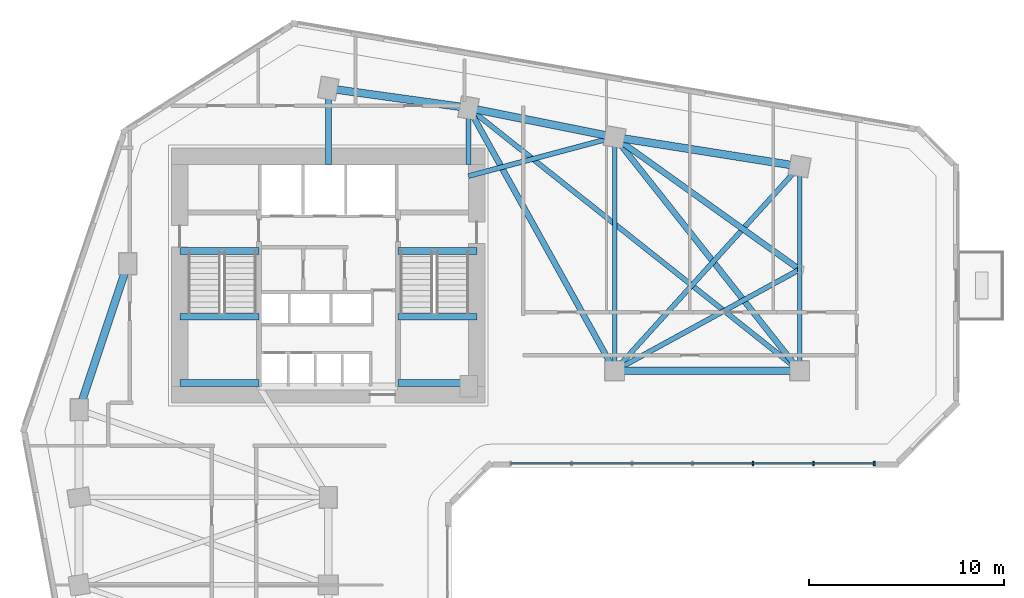
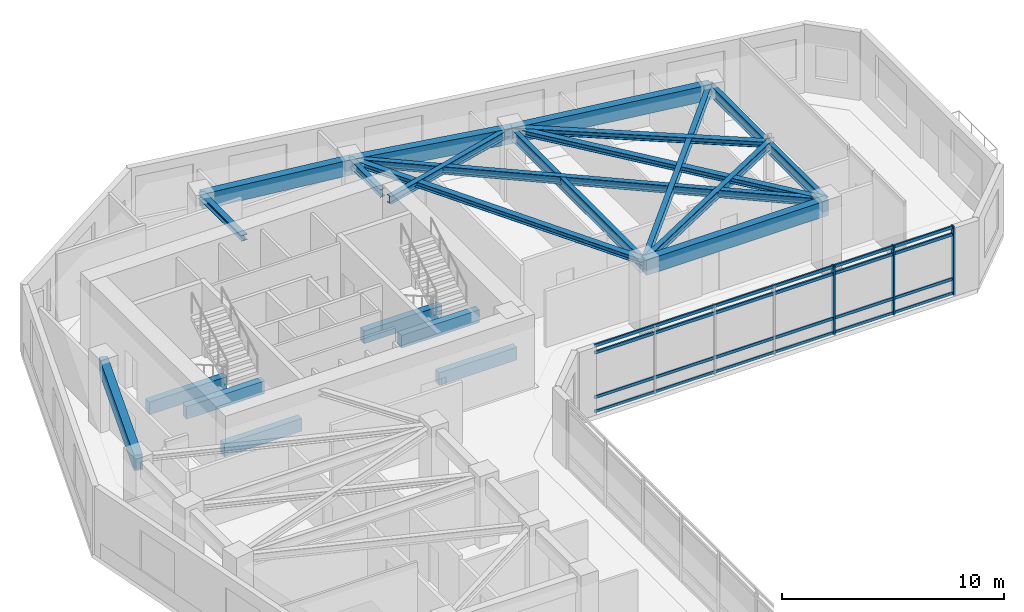
# One storey, part 3 of 11: 22 beams, 7 members, 1 element without a shape of its own.
"""IFC4 building model written with IfcOpenShell, lengths in metres."""

from ifc_helpers import new_model, si_unit, direction, frame, origin, origin_2d, place, context, subcontext, project, spatial, rectangle, i_section, extrude, source, transform, mapped, material, material_profile, profile_set, type_object, element, aggregate, save


model = new_model("IFC4")

# Units and contexts
model_context = context("Model", 3, precision=1e-05, world=origin(), true_north=direction((0.0, 1.0)))
body_context = subcontext(model_context, "Body", "Model", "MODEL_VIEW")
ifc_project = project(units=[si_unit("LENGTHUNIT", "METRE"), si_unit("AREAUNIT", "SQUARE_METRE"), si_unit("VOLUMEUNIT", "CUBIC_METRE"), si_unit("PLANEANGLEUNIT", "RADIAN"), si_unit("MASSUNIT", "GRAM", prefix="KILO")], contexts=[model_context])

# Site, building, storey
site_placement = place(None, origin())
site = spatial("IfcSite", under=ifc_project, at=site_placement, CompositionType="ELEMENT")
building_placement = place(site_placement, origin())
building = spatial("IfcBuilding", under=site, at=building_placement, Name="Calvemar Wedge Station Tower", CompositionType="ELEMENT")
storey_placement = place(building_placement, frame((0.0, 0.0, 83.0)))
storey = spatial("IfcBuildingStorey", under=building, at=storey_placement, Name="L20", CompositionType="ELEMENT", Elevation=83.0)

# Beams
ifc_material_1 = material(Name="Concrete C70", Category="concrete")
ifc_material_profile_1 = material_profile(ifc_material_1, rectangle(XDim=0.35009765625, YDim=0.699951171875, at=origin_2d()), Name="RC350x700")
ifc_profile_set_1 = profile_set([ifc_material_profile_1], Name="Concrete C70")
beam_type_1 = type_object("IfcBeamType", Name="BM-LN1-700", PredefinedType="LINTEL", material=ifc_profile_set_1)
shared_shape_1 = source(origin(), body_context, "Body", "SweptSolid", [
    extrude(rectangle(XDim=0.35009765625, YDim=0.699951171875, at=origin_2d()), origin(), (0.0, 0.0, 1.0), 4.054931640625),
])
for number, where, z_axis, x_axis, name in (
    (1, (16.175048828125, 41.14990234375, -0.35009765625), (1.0, 0.0, 0.0), (0.0, 1.0, 0.0), "Storey L20 Stair ST-C1 Landing Trimmer Beam"),
    (2, (27.3701171875, 41.14990234375, -0.35009765625), (1.0, 0.0, 0.0), (0.0, 1.0, 0.0), "Storey L20 Stair ST-C2 Landing Trimmer Beam"),
    (3, (16.175048828125, 34.3798828125, 1.449951171875), (1.0, 0.0, 0.0), (0.0, 1.0, 0.0), "Storey L20 Stair ST-C1 Half-Landing Beam 1A"),
    (4, (16.175048828125, 37.780029296875, 1.449951171875), (1.0, 0.0, 0.0), (0.0, 1.0, 0.0), "Storey L20 Stair ST-C1 Half-Landing Beam 1B"),
    (5, (27.3701171875, 34.3798828125, 1.449951171875), (1.0, 0.0, 0.0), (0.0, 1.0, 0.0), "Storey L20 Stair ST-C2 Half-Landing Beam 1A"),
    (6, (27.3701171875, 37.780029296875, 1.449951171875), (1.0, 0.0, 0.0), (0.0, 1.0, 0.0), "Storey L20 Stair ST-C2 Half-Landing Beam 1B"),
):
    element("IfcBeam", number, at=place(storey_placement, frame(where, z_axis=z_axis, x_axis=x_axis)), inside=storey, type_object=beam_type_1, Name=name, PredefinedType="LINTEL", context=body_context, shape_type="MappedRepresentation", body=[
        mapped(shared_shape_1, transform((0.0, 0.0, 0.0), scale=1.0)),
    ])
ifc_material_2 = material(Name="Concrete C60", Category="concrete")
ifc_material_profile_2 = material_profile(ifc_material_2, rectangle(XDim=0.39990234375, YDim=0.85009765625, at=origin_2d()), Name="RC400x850")
ifc_profile_set_2 = profile_set([ifc_material_profile_2], Name="Concrete C60")
beam_type_2 = type_object("IfcBeamType", Name="BM-SP1-850", PredefinedType="SPANDREL", material=ifc_profile_set_2)
shared_shape_2 = source(origin(), body_context, "Body", "SweptSolid", [
    extrude(rectangle(XDim=0.39990234375, YDim=0.85009765625, at=origin_2d()), origin(), (0.0, 0.0, 1.0), 7.90576171875),
])
beam_1_placement = place(storey_placement, frame((11.0, 33.0, 3.324951171875), z_axis=(0.316227766017, 0.948683298051, 0.0), x_axis=(-0.948683298051, 0.316227766017, 0.0)))
element("IfcBeam", 7, at=beam_1_placement, inside=storey, type_object=beam_type_2, Name="Storey L20 Spandrel T-NW1-T-NW2", PredefinedType="SPANDREL", context=body_context, shape_type="MappedRepresentation", body=[
    mapped(shared_shape_2, transform((0.0, 0.0, 0.0), scale=1.0)),
])
shared_shape_3 = source(origin(), body_context, "Body", "SweptSolid", [
    extrude(rectangle(XDim=0.39990234375, YDim=0.85009765625, at=origin_2d()), origin(), (0.0, 0.0, 1.0), 7.26904296875),
])
beam_2_placement = place(storey_placement, frame((23.800048828125, 49.5, 3.324951171875), z_axis=(0.990492146053, -0.13756928657, 0.0), x_axis=(0.13756928657, 0.990492146053, 0.0)))
element("IfcBeam", 8, at=beam_2_placement, inside=storey, type_object=beam_type_2, Name="Storey L20 Spandrel T-N1-T-N2", PredefinedType="SPANDREL", context=body_context, shape_type="MappedRepresentation", body=[
    mapped(shared_shape_3, transform((0.0, 0.0, 0.0), scale=1.0)),
])
shared_shape_4 = source(origin(), body_context, "Body", "SweptSolid", [
    extrude(rectangle(XDim=0.39990234375, YDim=0.85009765625, at=origin_2d()), origin(), (0.0, 0.0, 1.0), 7.6484375),
])
beam_3_placement = place(storey_placement, frame((31.0, 48.5, 3.324951171875), z_axis=(0.980580675691, -0.196116135138, 0.0), x_axis=(0.196116135138, 0.980580675691, 0.0)))
element("IfcBeam", 9, at=beam_3_placement, inside=storey, type_object=beam_type_2, Name="Storey L20 Spandrel T-N2-T-NU3", PredefinedType="SPANDREL", context=body_context, shape_type="MappedRepresentation", body=[
    mapped(shared_shape_4, transform((0.0, 0.0, 0.0), scale=1.0)),
])
shared_shape_5 = source(origin(), body_context, "Body", "SweptSolid", [
    extrude(rectangle(XDim=0.39990234375, YDim=0.85009765625, at=origin_2d()), origin(), (0.0, 0.0, 1.0), 9.61767578125),
])
beam_4_placement = place(storey_placement, frame((38.5, 47.0, 3.324951171875), z_axis=(0.987762965329, -0.155962573473, 0.0), x_axis=(0.155962573473, 0.987762965329, 0.0)))
element("IfcBeam", 10, at=beam_4_placement, inside=storey, type_object=beam_type_2, Name="Storey L20 Spandrel T-NU3-T-NU4", PredefinedType="SPANDREL", context=body_context, shape_type="MappedRepresentation", body=[
    mapped(shared_shape_5, transform((0.0, 0.0, 0.0), scale=1.0)),
])
shared_shape_6 = source(origin(), body_context, "Body", "SweptSolid", [
    extrude(rectangle(XDim=0.39990234375, YDim=0.85009765625, at=origin_2d()), origin(), (0.0, 0.0, 1.0), 9.5),
])
beam_5_placement = place(storey_placement, frame((38.5, 35.0, 3.324951171875), z_axis=(1.0, 0.0, 0.0), x_axis=(0.0, 1.0, 0.0)))
element("IfcBeam", 11, at=beam_5_placement, inside=storey, type_object=beam_type_2, Name="Storey L20 Spandrel T-NL2-T-NL3", PredefinedType="SPANDREL", context=body_context, shape_type="MappedRepresentation", body=[
    mapped(shared_shape_6, transform((0.0, 0.0, 0.0), scale=1.0)),
])
ifc_material_3 = material(Name="Structural steel ASTM A572 Grade 50", Category="steel")
ifc_material_profile_3 = material_profile(ifc_material_3, i_section(OverallWidth=0.22998046875, OverallDepth=0.616943359375, WebThickness=0.01318359375, FlangeThickness=0.022216796875, FilletRadius=0.012939453125, at=origin_2d()), Name="W610x140")
ifc_profile_set_3 = profile_set([ifc_material_profile_3], Name="Structural steel ASTM A572 Grade 50")
beam_type_3 = type_object("IfcBeamType", Name="BM-SB2-W610", PredefinedType="BEAM", material=ifc_profile_set_3)
shared_shape_7 = source(origin(), body_context, "Body", "SweptSolid", [
    extrude(i_section(OverallWidth=0.22998046875, OverallDepth=0.616943359375, WebThickness=0.01318359375, FlangeThickness=0.022216796875, FilletRadius=0.012939453125, at=origin_2d()), origin(), (0.0, 0.0, 1.0), 12.0),
])
beam_6_placement = place(storey_placement, frame((38.5, 47.0, 3.44140625), z_axis=(0.0, -1.0, 0.0), x_axis=(1.0, 0.0, 0.0)))
element("IfcBeam", 12, at=beam_6_placement, inside=storey, type_object=beam_type_3, Name="Storey L20 Floor Beam T-NU3-T-NL2", PredefinedType="BEAM", context=body_context, shape_type="MappedRepresentation", body=[
    mapped(shared_shape_7, transform((0.0, 0.0, 0.0), scale=1.0)),
])
shared_shape_8 = source(origin(), body_context, "Body", "SweptSolid", [
    extrude(i_section(OverallWidth=0.22998046875, OverallDepth=0.616943359375, WebThickness=0.01318359375, FlangeThickness=0.022216796875, FilletRadius=0.012939453125, at=origin_2d()), origin(), (0.0, 0.0, 1.0), 10.5),
])
beam_7_placement = place(storey_placement, frame((48.0, 45.5, 3.44140625), z_axis=(0.0, -1.0, 0.0), x_axis=(1.0, 0.0, 0.0)))
element("IfcBeam", 13, at=beam_7_placement, inside=storey, type_object=beam_type_3, Name="Storey L20 Floor Beam T-NU4-T-NL3", PredefinedType="BEAM", context=body_context, shape_type="MappedRepresentation", body=[
    mapped(shared_shape_8, transform((0.0, 0.0, 0.0), scale=1.0)),
])
ifc_material_profile_4 = material_profile(ifc_material_3, i_section(OverallWidth=0.304931640625, OverallDepth=0.30810546875, WebThickness=0.010009765625, FlangeThickness=0.015380859375, FilletRadius=0.014892578125, at=origin_2d()), Name="W310x97")
ifc_profile_set_4 = profile_set([ifc_material_profile_4], Name="Structural steel ASTM A572 Grade 50")
beam_type_4 = type_object("IfcBeamType", Name="BM-J6-W310", PredefinedType="JOIST", material=ifc_profile_set_4)
shared_shape_9 = source(origin(), body_context, "Body", "SweptSolid", [
    extrude(i_section(OverallWidth=0.304931640625, OverallDepth=0.30810546875, WebThickness=0.010009765625, FlangeThickness=0.015380859375, FilletRadius=0.014892578125, at=origin_2d()), origin(), (0.0, 0.0, 1.0), 15.443359375),
])
beam_8_placement = place(storey_placement, frame((31.0, 48.5, 3.595947265625), z_axis=(0.485642931179, -0.874157276122, 0.0), x_axis=(0.874157276122, 0.485642931179, 0.0)))
element("IfcBeam", 14, at=beam_8_placement, inside=storey, type_object=beam_type_4, Name="Storey L20 Floor Beam T-N2-T-NL2", PredefinedType="JOIST", context=body_context, shape_type="MappedRepresentation", body=[
    mapped(shared_shape_9, transform((0.0, 0.0, 0.0), scale=1.0)),
])
ifc_material_profile_5 = material_profile(ifc_material_3, i_section(OverallWidth=0.260986328125, OverallDepth=0.419921875, WebThickness=0.01171875, FlangeThickness=0.019287109375, FilletRadius=0.012939453125, at=origin_2d()), Name="W410x114")
ifc_profile_set_5 = profile_set([ifc_material_profile_5], Name="Structural steel ASTM A572 Grade 50")
beam_type_5 = type_object("IfcBeamType", Name="BM-J2-W410H", PredefinedType="JOIST", material=ifc_profile_set_5)
shared_shape_10 = source(origin(), body_context, "Body", "SweptSolid", [
    extrude(i_section(OverallWidth=0.260986328125, OverallDepth=0.419921875, WebThickness=0.01171875, FlangeThickness=0.019287109375, FilletRadius=0.012939453125, at=origin_2d()), origin(), (0.0, 0.0, 1.0), 21.708251953125),
])
beam_9_placement = place(storey_placement, frame((31.0, 48.5, 3.5400390625), z_axis=(0.783110847498, -0.621882143602, 0.0), x_axis=(0.621882143602, 0.783110847498, 0.0)))
element("IfcBeam", 15, at=beam_9_placement, inside=storey, type_object=beam_type_5, Name="Storey L20 Floor Beam T-N2-T-NL3", PredefinedType="JOIST", context=body_context, shape_type="MappedRepresentation", body=[
    mapped(shared_shape_10, transform((0.0, 0.0, 0.0), scale=1.0)),
])
shared_shape_11 = source(origin(), body_context, "Body", "SweptSolid", [
    extrude(i_section(OverallWidth=0.304931640625, OverallDepth=0.30810546875, WebThickness=0.010009765625, FlangeThickness=0.015380859375, FilletRadius=0.014892578125, at=origin_2d()), origin(), (0.0, 0.0, 1.0), 15.30517578125),
])
beam_10_placement = place(storey_placement, frame((38.5, 47.0, 3.595947265625), z_axis=(0.620702944366, -0.784045824462, 0.0), x_axis=(0.784045824462, 0.620702944366, 0.0)))
element("IfcBeam", 16, at=beam_10_placement, inside=storey, type_object=beam_type_4, Name="Storey L20 Floor Beam T-NU3-T-NL3", PredefinedType="JOIST", context=body_context, shape_type="MappedRepresentation", body=[
    mapped(shared_shape_11, transform((0.0, 0.0, 0.0), scale=1.0)),
])
shared_shape_12 = source(origin(), body_context, "Body", "SweptSolid", [
    extrude(i_section(OverallWidth=0.260986328125, OverallDepth=0.419921875, WebThickness=0.01171875, FlangeThickness=0.019287109375, FilletRadius=0.012939453125, at=origin_2d()), origin(), (0.0, 0.0, 1.0), 14.159912109375),
])
beam_11_placement = place(storey_placement, frame((38.5, 35.0, 3.5400390625), z_axis=(0.670913323969, 0.741535779124, 0.0), x_axis=(-0.741535779124, 0.670913323969, 0.0)))
element("IfcBeam", 17, at=beam_11_placement, inside=storey, type_object=beam_type_5, Name="Storey L20 Floor Beam T-NL2-T-NU4", PredefinedType="JOIST", context=body_context, shape_type="MappedRepresentation", body=[
    mapped(shared_shape_12, transform((0.0, 0.0, 0.0), scale=1.0)),
])
shared_shape_13 = source(origin(), body_context, "Body", "SweptSolid", [
    extrude(i_section(OverallWidth=0.304931640625, OverallDepth=0.30810546875, WebThickness=0.010009765625, FlangeThickness=0.015380859375, FilletRadius=0.014892578125, at=origin_2d()), origin(), (0.0, 0.0, 1.0), 11.682861328125),
])
beam_12_placement = place(storey_placement, frame((48.0, 40.199951171875, 3.595947265625), z_axis=(-0.81315274409, 0.582050354161, 0.0), x_axis=(-0.582050354161, -0.81315274409, 0.0)))
element("IfcBeam", 18, at=beam_12_placement, inside=storey, type_object=beam_type_4, Name="Storey L20 Floor Beam T-NTIP-A-T-NU3", PredefinedType="JOIST", context=body_context, shape_type="MappedRepresentation", body=[
    mapped(shared_shape_13, transform((0.0, 0.0, 0.0), scale=1.0)),
])
shared_shape_14 = source(origin(), body_context, "Body", "SweptSolid", [
    extrude(i_section(OverallWidth=0.260986328125, OverallDepth=0.419921875, WebThickness=0.01171875, FlangeThickness=0.019287109375, FilletRadius=0.012939453125, at=origin_2d()), origin(), (0.0, 0.0, 1.0), 10.830078125),
])
beam_13_placement = place(storey_placement, frame((48.0, 40.199951171875, 3.5400390625), z_axis=(-0.877190767997, -0.480142017053, 0.0), x_axis=(0.480142017053, -0.877190767997, 0.0)))
element("IfcBeam", 19, at=beam_13_placement, inside=storey, type_object=beam_type_5, Name="Storey L20 Floor Beam T-NTIP-A-T-NL2", PredefinedType="JOIST", context=body_context, shape_type="MappedRepresentation", body=[
    mapped(shared_shape_14, transform((0.0, 0.0, 0.0), scale=1.0)),
])
shared_shape_15 = source(origin(), body_context, "Body", "SweptSolid", [
    extrude(i_section(OverallWidth=0.260986328125, OverallDepth=0.419921875, WebThickness=0.01171875, FlangeThickness=0.019287109375, FilletRadius=0.012939453125, at=origin_2d()), origin(), (0.0, 0.0, 1.0), 7.76220703125),
])
beam_14_placement = place(storey_placement, frame((31.0, 45.0, 3.5400390625), z_axis=(0.966234939601, 0.25766265056, 0.0), x_axis=(-0.25766265056, 0.966234939601, 0.0)))
element("IfcBeam", 20, at=beam_14_placement, inside=storey, type_object=beam_type_5, Name="Storey L20 Core-to-Column Joist CJ-E2", PredefinedType="JOIST", context=body_context, shape_type="MappedRepresentation", body=[
    mapped(shared_shape_15, transform((0.0, 0.0, 0.0), scale=1.0)),
])
shared_shape_16 = source(origin(), body_context, "Body", "SweptSolid", [
    extrude(i_section(OverallWidth=0.304931640625, OverallDepth=0.30810546875, WebThickness=0.010009765625, FlangeThickness=0.015380859375, FilletRadius=0.014892578125, at=origin_2d()), origin(), (0.0, 0.0, 1.0), 3.89990234375),
])
beam_15_placement = place(storey_placement, frame((23.800048828125, 45.60009765625, 3.595947265625), z_axis=(0.0, 1.0, 0.0), x_axis=(-1.0, 0.0, 0.0)))
element("IfcBeam", 21, at=beam_15_placement, inside=storey, type_object=beam_type_4, Name="Storey L20 Core-to-Column Joist CJ-N1", PredefinedType="JOIST", context=body_context, shape_type="MappedRepresentation", body=[
    mapped(shared_shape_16, transform((0.0, 0.0, 0.0), scale=1.0)),
])
shared_shape_17 = source(origin(), body_context, "Body", "SweptSolid", [
    extrude(i_section(OverallWidth=0.260986328125, OverallDepth=0.419921875, WebThickness=0.01171875, FlangeThickness=0.019287109375, FilletRadius=0.012939453125, at=origin_2d()), origin(), (0.0, 0.0, 1.0), 2.89990234375),
])
beam_16_placement = place(storey_placement, frame((31.0, 45.60009765625, 3.5400390625), z_axis=(0.0, 1.0, 0.0), x_axis=(-1.0, 0.0, 0.0)))
element("IfcBeam", 22, at=beam_16_placement, inside=storey, type_object=beam_type_5, Name="Storey L20 Core-to-Column Joist CJ-N2", PredefinedType="JOIST", context=body_context, shape_type="MappedRepresentation", body=[
    mapped(shared_shape_17, transform((0.0, 0.0, 0.0), scale=1.0)),
])

# Curtain wall, members
ifc_material_4 = material(Name="Anodised aluminium 6063-T6", Category="aluminium")
curtain_wall_type = type_object("IfcCurtainWallType", Name="CW1", PredefinedType="NOTDEFINED", material=ifc_material_4)
curtain_wall_placement = place(storey_placement, origin())
curtain_wall = element("IfcCurtainWall", 23, at=curtain_wall_placement, inside=storey, type_object=curtain_wall_type, Name="Storey L20 CW1 Recessed Unitised Curtain Wall 6", PredefinedType="NOTDEFINED")
ifc_material_profile_6 = material_profile(ifc_material_4, rectangle(XDim=0.080078125, YDim=0.219970703125, at=origin_2d()), Name="AL-MUL-80x220")
ifc_profile_set_6 = profile_set([ifc_material_profile_6], Name="Anodised aluminium 6063-T6")
member_type_1 = type_object("IfcMemberType", Name="CW1-MUL", PredefinedType="MULLION", material=ifc_profile_set_6)
shared_shape_18 = source(origin(), body_context, "Body", "SweptSolid", [
    extrude(rectangle(XDim=0.080078125, YDim=0.219970703125, at=origin_2d()), origin(), (0.0, 0.0, 1.0), 3.800048828125),
])
member_1_placement = place(storey_placement, frame((45.614013671875, 30.238037109375, -0.050048828125), z_axis=(0.0, 0.0, 1.0), x_axis=(1.0, 0.0, 0.0)))
member_1 = element("IfcMember", 24, at=member_1_placement, type_object=member_type_1, Name="CW1 mullion 5", PredefinedType="MULLION", context=body_context, shape_type="MappedRepresentation", body=[
    mapped(shared_shape_18, transform((0.0, 0.0, 0.0), scale=1.0)),
])
member_2_placement = place(storey_placement, frame((48.725830078125, 30.238037109375, -0.050048828125), z_axis=(0.0, 0.0, 1.0), x_axis=(1.0, 0.0, 0.0)))
member_2 = element("IfcMember", 25, at=member_2_placement, type_object=member_type_1, Name="CW1 mullion 6", PredefinedType="MULLION", context=body_context, shape_type="MappedRepresentation", body=[
    mapped(shared_shape_18, transform((0.0, 0.0, 0.0), scale=1.0)),
])
member_3_placement = place(storey_placement, frame((51.837890625, 30.238037109375, -0.050048828125), z_axis=(0.0, 0.0, 1.0), x_axis=(1.0, 0.0, 0.0)))
member_3 = element("IfcMember", 26, at=member_3_placement, type_object=member_type_1, Name="CW1 mullion 7", PredefinedType="MULLION", context=body_context, shape_type="MappedRepresentation", body=[
    mapped(shared_shape_18, transform((0.0, 0.0, 0.0), scale=1.0)),
])
ifc_material_profile_7 = material_profile(ifc_material_4, rectangle(XDim=0.080078125, YDim=0.159912109375, at=origin_2d()), Name="AL-TRN-80x160")
ifc_profile_set_7 = profile_set([ifc_material_profile_7], Name="Anodised aluminium 6063-T6")
member_type_2 = type_object("IfcMemberType", Name="CW1-TRN", PredefinedType="USERDEFINED", material=ifc_profile_set_7)
shared_shape_19 = source(origin(), body_context, "Body", "SweptSolid", [
    extrude(rectangle(XDim=0.080078125, YDim=0.159912109375, at=origin_2d()), origin(), (0.0, 0.0, 1.0), 18.671875),
])
member_4_placement = place(storey_placement, frame((33.166015625, 30.238037109375, 0.06005859375), z_axis=(1.0, 0.0, 0.0), x_axis=(0.0, 1.0, 0.0)))
member_4 = element("IfcMember", 27, at=member_4_placement, type_object=member_type_2, Name="CW1 transom 1", ObjectType="TRANSOM", PredefinedType="USERDEFINED", context=body_context, shape_type="MappedRepresentation", body=[
    mapped(shared_shape_19, transform((0.0, 0.0, 0.0), scale=1.0)),
])
member_5_placement = place(storey_placement, frame((33.166015625, 30.238037109375, 0.85009765625), z_axis=(1.0, 0.0, 0.0), x_axis=(0.0, 1.0, 0.0)))
member_5 = element("IfcMember", 28, at=member_5_placement, type_object=member_type_2, Name="CW1 transom 2", ObjectType="TRANSOM", PredefinedType="USERDEFINED", context=body_context, shape_type="MappedRepresentation", body=[
    mapped(shared_shape_19, transform((0.0, 0.0, 0.0), scale=1.0)),
])
member_6_placement = place(storey_placement, frame((33.166015625, 30.238037109375, 3.300048828125), z_axis=(1.0, 0.0, 0.0), x_axis=(0.0, 1.0, 0.0)))
member_6 = element("IfcMember", 29, at=member_6_placement, type_object=member_type_2, Name="CW1 transom 3", ObjectType="TRANSOM", PredefinedType="USERDEFINED", context=body_context, shape_type="MappedRepresentation", body=[
    mapped(shared_shape_19, transform((0.0, 0.0, 0.0), scale=1.0)),
])
member_7_placement = place(storey_placement, frame((33.166015625, 30.238037109375, 3.68994140625), z_axis=(1.0, 0.0, 0.0), x_axis=(0.0, 1.0, 0.0)))
member_7 = element("IfcMember", 30, at=member_7_placement, type_object=member_type_2, Name="CW1 transom 4", ObjectType="TRANSOM", PredefinedType="USERDEFINED", context=body_context, shape_type="MappedRepresentation", body=[
    mapped(shared_shape_19, transform((0.0, 0.0, 0.0), scale=1.0)),
])
aggregate(curtain_wall, [member_1, member_2, member_3, member_4, member_5, member_6, member_7])

save(model, "model.ifc")
